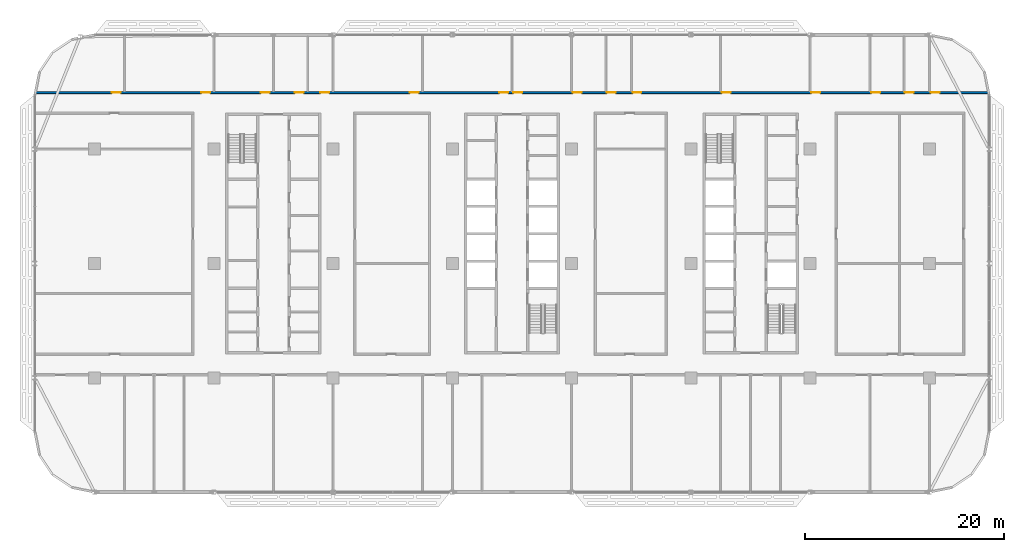
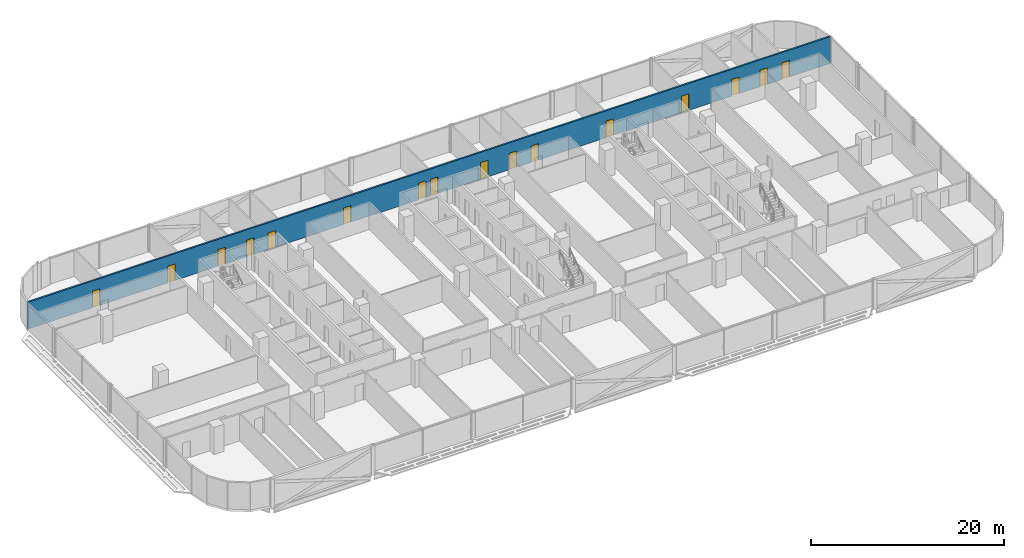
# One storey, part 14 of 28: 16 doors, 1 wall, 16 openings.
"""IFC4 building model written with IfcOpenShell, lengths in metres."""

from ifc_helpers import new_model, si_unit, direction, frame, frame_2d, origin, place, context, subcontext, project, spatial, rectangle, extrude, material, layer, layer_set, type_object, element, fill, save


model = new_model("IFC4")

# Units and contexts
model_context = context("Model", 3, precision=1e-05, world=origin(), true_north=direction((0.0, 1.0)))
body_context = subcontext(model_context, "Body", "Model", "MODEL_VIEW")
ifc_project = project(units=[si_unit("LENGTHUNIT", "METRE"), si_unit("AREAUNIT", "SQUARE_METRE"), si_unit("VOLUMEUNIT", "CUBIC_METRE"), si_unit("PLANEANGLEUNIT", "RADIAN"), si_unit("MASSUNIT", "GRAM", prefix="KILO")], contexts=[model_context])

# Site, building, storey
site_placement = place(None, origin())
site = spatial("IfcSite", under=ifc_project, at=site_placement, CompositionType="ELEMENT")
building_placement = place(site_placement, origin())
building = spatial("IfcBuilding", under=site, at=building_placement, Name="Mahtab Terrace Research Tower", CompositionType="ELEMENT")
storey_placement = place(building_placement, frame((0.0, 0.0, 185.800048828125)))
storey = spatial("IfcBuildingStorey", under=building, at=storey_placement, Name="L44", CompositionType="ELEMENT", Elevation=185.800048828125)

# Wall, openings, doors
ifc_material_1 = material(Name="Gypsum board corridor wall on steel studs", Category="steel")
ifc_layer = layer(ifc_material_1, 0.199951171875)
ifc_layer_set = layer_set([ifc_layer], Name="WALL CORRIDOR 200")
wall_type = type_object("IfcWallType", Name="WALL CORRIDOR 200", PredefinedType="PARTITIONING", material=ifc_layer_set)
wall_placement = place(storey_placement, frame((-47.97509765625, 17.199951171875, 0.0), z_axis=(0.0, 0.0, 1.0), x_axis=(1.0, 0.0, 0.0)))
wall = element("IfcWall", 1, at=wall_placement, inside=storey, type_object=wall_type, Name="L44-W026", PredefinedType="PARTITIONING", context=body_context, shape_type="SweptSolid", body=[
    extrude(rectangle(XDim=95.9501953125, YDim=0.199951171875, at=frame_2d((47.97509765625, 0.0))), origin(), (0.0, 0.0, 1.0), 3.39990234375),
])
opening_1_placement = place(wall_placement, frame((7.699951171875, 0.0, 0.0)))
opening_1 = element("IfcOpeningElement", 2, at=opening_1_placement, cuts=wall, Name="Opening L44-129", PredefinedType="OPENING", context=body_context, shape_type="SweptSolid", body=[
    extrude(rectangle(XDim=0.89990234375, YDim=2.10009765625, at=frame_2d((0.449951171875, 1.050048828125))), frame((0.0, 0.10986328125, 0.0), z_axis=(0.0, -1.0, 0.0), x_axis=(1.0, 0.0, 0.0)), (0.0, 0.0, 1.0), 0.219970703125),
])
opening_2_placement = place(wall_placement, frame((16.699951171875, 0.0, 0.0)))
opening_2 = element("IfcOpeningElement", 3, at=opening_2_placement, cuts=wall, Name="Opening L44-130", PredefinedType="OPENING", context=body_context, shape_type="SweptSolid", body=[
    extrude(rectangle(XDim=0.89990234375, YDim=2.10009765625, at=frame_2d((0.449951171875, 1.050048828125))), frame((0.0, 0.10986328125, 0.0), z_axis=(0.0, -1.0, 0.0), x_axis=(1.0, 0.0, 0.0)), (0.0, 0.0, 1.0), 0.219970703125),
])
opening_3_placement = place(wall_placement, frame((22.699951171875, 0.0, 0.0)))
opening_3 = element("IfcOpeningElement", 4, at=opening_3_placement, cuts=wall, Name="Opening L44-131", PredefinedType="OPENING", context=body_context, shape_type="SweptSolid", body=[
    extrude(rectangle(XDim=0.89990234375, YDim=2.10009765625, at=frame_2d((0.449951171875, 1.050048828125))), frame((0.0, 0.10986328125, 0.0), z_axis=(0.0, -1.0, 0.0), x_axis=(1.0, 0.0, 0.0)), (0.0, 0.0, 1.0), 0.219970703125),
])
opening_4_placement = place(wall_placement, frame((26.10009765625, 0.0, 0.0)))
opening_4 = element("IfcOpeningElement", 5, at=opening_4_placement, cuts=wall, Name="Opening L44-132", PredefinedType="OPENING", context=body_context, shape_type="SweptSolid", body=[
    extrude(rectangle(XDim=0.89990234375, YDim=2.10009765625, at=frame_2d((0.449951171875, 1.050048828125))), frame((0.0, 0.10986328125, 0.0), z_axis=(0.0, -1.0, 0.0), x_axis=(1.0, 0.0, 0.0)), (0.0, 0.0, 1.0), 0.219970703125),
])
opening_5_placement = place(wall_placement, frame((28.699951171875, 0.0, 0.0)))
opening_5 = element("IfcOpeningElement", 6, at=opening_5_placement, cuts=wall, Name="Opening L44-133", PredefinedType="OPENING", context=body_context, shape_type="SweptSolid", body=[
    extrude(rectangle(XDim=0.89990234375, YDim=2.10009765625, at=frame_2d((0.449951171875, 1.050048828125))), frame((0.0, 0.10986328125, 0.0), z_axis=(0.0, -1.0, 0.0), x_axis=(1.0, 0.0, 0.0)), (0.0, 0.0, 1.0), 0.219970703125),
])
opening_6_placement = place(wall_placement, frame((37.699951171875, 0.0, 0.0)))
opening_6 = element("IfcOpeningElement", 7, at=opening_6_placement, cuts=wall, Name="Opening L44-134", PredefinedType="OPENING", context=body_context, shape_type="SweptSolid", body=[
    extrude(rectangle(XDim=0.89990234375, YDim=2.10009765625, at=frame_2d((0.449951171875, 1.050048828125))), frame((0.0, 0.10986328125, 0.0), z_axis=(0.0, -1.0, 0.0), x_axis=(1.0, 0.0, 0.0)), (0.0, 0.0, 1.0), 0.219970703125),
])
opening_7_placement = place(wall_placement, frame((46.699951171875, 0.0, 0.0)))
opening_7 = element("IfcOpeningElement", 8, at=opening_7_placement, cuts=wall, Name="Opening L44-135", PredefinedType="OPENING", context=body_context, shape_type="SweptSolid", body=[
    extrude(rectangle(XDim=0.89990234375, YDim=2.10009765625, at=frame_2d((0.449951171875, 1.050048828125))), frame((0.0, 0.10986328125, 0.0), z_axis=(0.0, -1.0, 0.0), x_axis=(1.0, 0.0, 0.0)), (0.0, 0.0, 1.0), 0.219970703125),
])
opening_8_placement = place(wall_placement, frame((48.10009765625, 0.0, 0.0)))
opening_8 = element("IfcOpeningElement", 9, at=opening_8_placement, cuts=wall, Name="Opening L44-136", PredefinedType="OPENING", context=body_context, shape_type="SweptSolid", body=[
    extrude(rectangle(XDim=0.89990234375, YDim=2.10009765625, at=frame_2d((0.449951171875, 1.050048828125))), frame((0.0, 0.10986328125, 0.0), z_axis=(0.0, -1.0, 0.0), x_axis=(1.0, 0.0, 0.0)), (0.0, 0.0, 1.0), 0.219970703125),
])
opening_9_placement = place(wall_placement, frame((54.10009765625, 0.0, 0.0)))
opening_9 = element("IfcOpeningElement", 10, at=opening_9_placement, cuts=wall, Name="Opening L44-137", PredefinedType="OPENING", context=body_context, shape_type="SweptSolid", body=[
    extrude(rectangle(XDim=0.89990234375, YDim=2.10009765625, at=frame_2d((0.449951171875, 1.050048828125))), frame((0.0, 0.10986328125, 0.0), z_axis=(0.0, -1.0, 0.0), x_axis=(1.0, 0.0, 0.0)), (0.0, 0.0, 1.0), 0.219970703125),
])
opening_10_placement = place(wall_placement, frame((57.5, 0.0, 0.0)))
opening_10 = element("IfcOpeningElement", 11, at=opening_10_placement, cuts=wall, Name="Opening L44-138", PredefinedType="OPENING", context=body_context, shape_type="SweptSolid", body=[
    extrude(rectangle(XDim=0.89990234375, YDim=2.10009765625, at=frame_2d((0.449951171875, 1.050048828125))), frame((0.0, 0.10986328125, 0.0), z_axis=(0.0, -1.0, 0.0), x_axis=(1.0, 0.0, 0.0)), (0.0, 0.0, 1.0), 0.219970703125),
])
opening_11_placement = place(wall_placement, frame((60.10009765625, 0.0, 0.0)))
opening_11 = element("IfcOpeningElement", 12, at=opening_11_placement, cuts=wall, Name="Opening L44-139", PredefinedType="OPENING", context=body_context, shape_type="SweptSolid", body=[
    extrude(rectangle(XDim=0.89990234375, YDim=2.10009765625, at=frame_2d((0.449951171875, 1.050048828125))), frame((0.0, 0.10986328125, 0.0), z_axis=(0.0, -1.0, 0.0), x_axis=(1.0, 0.0, 0.0)), (0.0, 0.0, 1.0), 0.219970703125),
])
opening_12_placement = place(wall_placement, frame((69.10009765625, 0.0, 0.0)))
opening_12 = element("IfcOpeningElement", 13, at=opening_12_placement, cuts=wall, Name="Opening L44-140", PredefinedType="OPENING", context=body_context, shape_type="SweptSolid", body=[
    extrude(rectangle(XDim=0.89990234375, YDim=2.10009765625, at=frame_2d((0.449951171875, 1.050048828125))), frame((0.0, 0.10986328125, 0.0), z_axis=(0.0, -1.0, 0.0), x_axis=(1.0, 0.0, 0.0)), (0.0, 0.0, 1.0), 0.219970703125),
])
opening_13_placement = place(wall_placement, frame((78.10009765625, 0.0, 0.0)))
opening_13 = element("IfcOpeningElement", 14, at=opening_13_placement, cuts=wall, Name="Opening L44-141", PredefinedType="OPENING", context=body_context, shape_type="SweptSolid", body=[
    extrude(rectangle(XDim=0.89990234375, YDim=2.10009765625, at=frame_2d((0.449951171875, 1.050048828125))), frame((0.0, 0.10986328125, 0.0), z_axis=(0.0, -1.0, 0.0), x_axis=(1.0, 0.0, 0.0)), (0.0, 0.0, 1.0), 0.219970703125),
])
opening_14_placement = place(wall_placement, frame((84.10009765625, 0.0, 0.0)))
opening_14 = element("IfcOpeningElement", 15, at=opening_14_placement, cuts=wall, Name="Opening L44-142", PredefinedType="OPENING", context=body_context, shape_type="SweptSolid", body=[
    extrude(rectangle(XDim=0.89990234375, YDim=2.10009765625, at=frame_2d((0.449951171875, 1.050048828125))), frame((0.0, 0.10986328125, 0.0), z_axis=(0.0, -1.0, 0.0), x_axis=(1.0, 0.0, 0.0)), (0.0, 0.0, 1.0), 0.219970703125),
])
opening_15_placement = place(wall_placement, frame((87.5, 0.0, 0.0)))
opening_15 = element("IfcOpeningElement", 16, at=opening_15_placement, cuts=wall, Name="Opening L44-143", PredefinedType="OPENING", context=body_context, shape_type="SweptSolid", body=[
    extrude(rectangle(XDim=0.89990234375, YDim=2.10009765625, at=frame_2d((0.449951171875, 1.050048828125))), frame((0.0, 0.10986328125, 0.0), z_axis=(0.0, -1.0, 0.0), x_axis=(1.0, 0.0, 0.0)), (0.0, 0.0, 1.0), 0.219970703125),
])
opening_16_placement = place(wall_placement, frame((90.10009765625, 0.0, 0.0)))
opening_16 = element("IfcOpeningElement", 17, at=opening_16_placement, cuts=wall, Name="Opening L44-144", PredefinedType="OPENING", context=body_context, shape_type="SweptSolid", body=[
    extrude(rectangle(XDim=0.89990234375, YDim=2.10009765625, at=frame_2d((0.449951171875, 1.050048828125))), frame((0.0, 0.10986328125, 0.0), z_axis=(0.0, -1.0, 0.0), x_axis=(1.0, 0.0, 0.0)), (0.0, 0.0, 1.0), 0.219970703125),
])
ifc_material_2 = material(Name="Timber door leaf in steel frame", Category="steel")
door_type = type_object("IfcDoorType", Name="DOOR 0900X2100 FD30S", OperationType="SINGLE_SWING_LEFT", PredefinedType="DOOR", material=ifc_material_2)
door_1_placement = place(opening_1_placement, origin())
door_1 = element("IfcDoor", 18, at=door_1_placement, inside=storey, type_object=door_type, Name="Door L44-129", OperationType="SINGLE_SWING_LEFT", OverallHeight=2.10009765625, OverallWidth=0.89990234375, PredefinedType="DOOR", context=body_context, shape_type="SweptSolid", body=[
    extrude(rectangle(XDim=0.89990234375, YDim=2.10009765625, at=frame_2d((0.449951171875, 1.050048828125))), frame((0.0, 0.02490234375, 0.0), z_axis=(0.0, -1.0, 0.0), x_axis=(1.0, 0.0, 0.0)), (0.0, 0.0, 1.0), 0.050048828125),
])
fill(opening_1, door_1)
door_2_placement = place(opening_2_placement, origin())
door_2 = element("IfcDoor", 19, at=door_2_placement, inside=storey, type_object=door_type, Name="Door L44-130", OperationType="SINGLE_SWING_LEFT", OverallHeight=2.10009765625, OverallWidth=0.89990234375, PredefinedType="DOOR", context=body_context, shape_type="SweptSolid", body=[
    extrude(rectangle(XDim=0.89990234375, YDim=2.10009765625, at=frame_2d((0.449951171875, 1.050048828125))), frame((0.0, 0.02490234375, 0.0), z_axis=(0.0, -1.0, 0.0), x_axis=(1.0, 0.0, 0.0)), (0.0, 0.0, 1.0), 0.050048828125),
])
fill(opening_2, door_2)
door_3_placement = place(opening_3_placement, origin())
door_3 = element("IfcDoor", 20, at=door_3_placement, inside=storey, type_object=door_type, Name="Door L44-131", OperationType="SINGLE_SWING_LEFT", OverallHeight=2.10009765625, OverallWidth=0.89990234375, PredefinedType="DOOR", context=body_context, shape_type="SweptSolid", body=[
    extrude(rectangle(XDim=0.89990234375, YDim=2.10009765625, at=frame_2d((0.449951171875, 1.050048828125))), frame((0.0, 0.02490234375, 0.0), z_axis=(0.0, -1.0, 0.0), x_axis=(1.0, 0.0, 0.0)), (0.0, 0.0, 1.0), 0.050048828125),
])
fill(opening_3, door_3)
door_4_placement = place(opening_4_placement, origin())
door_4 = element("IfcDoor", 21, at=door_4_placement, inside=storey, type_object=door_type, Name="Door L44-132", OperationType="SINGLE_SWING_LEFT", OverallHeight=2.10009765625, OverallWidth=0.89990234375, PredefinedType="DOOR", context=body_context, shape_type="SweptSolid", body=[
    extrude(rectangle(XDim=0.89990234375, YDim=2.10009765625, at=frame_2d((0.449951171875, 1.050048828125))), frame((0.0, 0.02490234375, 0.0), z_axis=(0.0, -1.0, 0.0), x_axis=(1.0, 0.0, 0.0)), (0.0, 0.0, 1.0), 0.050048828125),
])
fill(opening_4, door_4)
door_5_placement = place(opening_5_placement, origin())
door_5 = element("IfcDoor", 22, at=door_5_placement, inside=storey, type_object=door_type, Name="Door L44-133", OperationType="SINGLE_SWING_LEFT", OverallHeight=2.10009765625, OverallWidth=0.89990234375, PredefinedType="DOOR", context=body_context, shape_type="SweptSolid", body=[
    extrude(rectangle(XDim=0.89990234375, YDim=2.10009765625, at=frame_2d((0.449951171875, 1.050048828125))), frame((0.0, 0.02490234375, 0.0), z_axis=(0.0, -1.0, 0.0), x_axis=(1.0, 0.0, 0.0)), (0.0, 0.0, 1.0), 0.050048828125),
])
fill(opening_5, door_5)
door_6_placement = place(opening_6_placement, origin())
door_6 = element("IfcDoor", 23, at=door_6_placement, inside=storey, type_object=door_type, Name="Door L44-134", OperationType="SINGLE_SWING_LEFT", OverallHeight=2.10009765625, OverallWidth=0.89990234375, PredefinedType="DOOR", context=body_context, shape_type="SweptSolid", body=[
    extrude(rectangle(XDim=0.89990234375, YDim=2.10009765625, at=frame_2d((0.449951171875, 1.050048828125))), frame((0.0, 0.02490234375, 0.0), z_axis=(0.0, -1.0, 0.0), x_axis=(1.0, 0.0, 0.0)), (0.0, 0.0, 1.0), 0.050048828125),
])
fill(opening_6, door_6)
door_7_placement = place(opening_7_placement, origin())
door_7 = element("IfcDoor", 24, at=door_7_placement, inside=storey, type_object=door_type, Name="Door L44-135", OperationType="SINGLE_SWING_LEFT", OverallHeight=2.10009765625, OverallWidth=0.89990234375, PredefinedType="DOOR", context=body_context, shape_type="SweptSolid", body=[
    extrude(rectangle(XDim=0.89990234375, YDim=2.10009765625, at=frame_2d((0.449951171875, 1.050048828125))), frame((0.0, 0.02490234375, 0.0), z_axis=(0.0, -1.0, 0.0), x_axis=(1.0, 0.0, 0.0)), (0.0, 0.0, 1.0), 0.050048828125),
])
fill(opening_7, door_7)
door_8_placement = place(opening_8_placement, origin())
door_8 = element("IfcDoor", 25, at=door_8_placement, inside=storey, type_object=door_type, Name="Door L44-136", OperationType="SINGLE_SWING_RIGHT", OverallHeight=2.10009765625, OverallWidth=0.89990234375, PredefinedType="DOOR", context=body_context, shape_type="SweptSolid", body=[
    extrude(rectangle(XDim=0.89990234375, YDim=2.10009765625, at=frame_2d((0.449951171875, 1.050048828125))), frame((0.0, 0.02490234375, 0.0), z_axis=(0.0, -1.0, 0.0), x_axis=(1.0, 0.0, 0.0)), (0.0, 0.0, 1.0), 0.050048828125),
])
fill(opening_8, door_8)
door_9_placement = place(opening_9_placement, origin())
door_9 = element("IfcDoor", 26, at=door_9_placement, inside=storey, type_object=door_type, Name="Door L44-137", OperationType="SINGLE_SWING_RIGHT", OverallHeight=2.10009765625, OverallWidth=0.89990234375, PredefinedType="DOOR", context=body_context, shape_type="SweptSolid", body=[
    extrude(rectangle(XDim=0.89990234375, YDim=2.10009765625, at=frame_2d((0.449951171875, 1.050048828125))), frame((0.0, 0.02490234375, 0.0), z_axis=(0.0, -1.0, 0.0), x_axis=(1.0, 0.0, 0.0)), (0.0, 0.0, 1.0), 0.050048828125),
])
fill(opening_9, door_9)
door_10_placement = place(opening_10_placement, origin())
door_10 = element("IfcDoor", 27, at=door_10_placement, inside=storey, type_object=door_type, Name="Door L44-138", OperationType="SINGLE_SWING_RIGHT", OverallHeight=2.10009765625, OverallWidth=0.89990234375, PredefinedType="DOOR", context=body_context, shape_type="SweptSolid", body=[
    extrude(rectangle(XDim=0.89990234375, YDim=2.10009765625, at=frame_2d((0.449951171875, 1.050048828125))), frame((0.0, 0.02490234375, 0.0), z_axis=(0.0, -1.0, 0.0), x_axis=(1.0, 0.0, 0.0)), (0.0, 0.0, 1.0), 0.050048828125),
])
fill(opening_10, door_10)
door_11_placement = place(opening_11_placement, origin())
door_11 = element("IfcDoor", 28, at=door_11_placement, inside=storey, type_object=door_type, Name="Door L44-139", OperationType="SINGLE_SWING_RIGHT", OverallHeight=2.10009765625, OverallWidth=0.89990234375, PredefinedType="DOOR", context=body_context, shape_type="SweptSolid", body=[
    extrude(rectangle(XDim=0.89990234375, YDim=2.10009765625, at=frame_2d((0.449951171875, 1.050048828125))), frame((0.0, 0.02490234375, 0.0), z_axis=(0.0, -1.0, 0.0), x_axis=(1.0, 0.0, 0.0)), (0.0, 0.0, 1.0), 0.050048828125),
])
fill(opening_11, door_11)
door_12_placement = place(opening_12_placement, origin())
door_12 = element("IfcDoor", 29, at=door_12_placement, inside=storey, type_object=door_type, Name="Door L44-140", OperationType="SINGLE_SWING_RIGHT", OverallHeight=2.10009765625, OverallWidth=0.89990234375, PredefinedType="DOOR", context=body_context, shape_type="SweptSolid", body=[
    extrude(rectangle(XDim=0.89990234375, YDim=2.10009765625, at=frame_2d((0.449951171875, 1.050048828125))), frame((0.0, 0.02490234375, 0.0), z_axis=(0.0, -1.0, 0.0), x_axis=(1.0, 0.0, 0.0)), (0.0, 0.0, 1.0), 0.050048828125),
])
fill(opening_12, door_12)
door_13_placement = place(opening_13_placement, origin())
door_13 = element("IfcDoor", 30, at=door_13_placement, inside=storey, type_object=door_type, Name="Door L44-141", OperationType="SINGLE_SWING_RIGHT", OverallHeight=2.10009765625, OverallWidth=0.89990234375, PredefinedType="DOOR", context=body_context, shape_type="SweptSolid", body=[
    extrude(rectangle(XDim=0.89990234375, YDim=2.10009765625, at=frame_2d((0.449951171875, 1.050048828125))), frame((0.0, 0.02490234375, 0.0), z_axis=(0.0, -1.0, 0.0), x_axis=(1.0, 0.0, 0.0)), (0.0, 0.0, 1.0), 0.050048828125),
])
fill(opening_13, door_13)
door_14_placement = place(opening_14_placement, origin())
door_14 = element("IfcDoor", 31, at=door_14_placement, inside=storey, type_object=door_type, Name="Door L44-142", OperationType="SINGLE_SWING_RIGHT", OverallHeight=2.10009765625, OverallWidth=0.89990234375, PredefinedType="DOOR", context=body_context, shape_type="SweptSolid", body=[
    extrude(rectangle(XDim=0.89990234375, YDim=2.10009765625, at=frame_2d((0.449951171875, 1.050048828125))), frame((0.0, 0.02490234375, 0.0), z_axis=(0.0, -1.0, 0.0), x_axis=(1.0, 0.0, 0.0)), (0.0, 0.0, 1.0), 0.050048828125),
])
fill(opening_14, door_14)
door_15_placement = place(opening_15_placement, origin())
door_15 = element("IfcDoor", 32, at=door_15_placement, inside=storey, type_object=door_type, Name="Door L44-143", OperationType="SINGLE_SWING_RIGHT", OverallHeight=2.10009765625, OverallWidth=0.89990234375, PredefinedType="DOOR", context=body_context, shape_type="SweptSolid", body=[
    extrude(rectangle(XDim=0.89990234375, YDim=2.10009765625, at=frame_2d((0.449951171875, 1.050048828125))), frame((0.0, 0.02490234375, 0.0), z_axis=(0.0, -1.0, 0.0), x_axis=(1.0, 0.0, 0.0)), (0.0, 0.0, 1.0), 0.050048828125),
])
fill(opening_15, door_15)
door_16_placement = place(opening_16_placement, origin())
door_16 = element("IfcDoor", 33, at=door_16_placement, inside=storey, type_object=door_type, Name="Door L44-144", OperationType="SINGLE_SWING_RIGHT", OverallHeight=2.10009765625, OverallWidth=0.89990234375, PredefinedType="DOOR", context=body_context, shape_type="SweptSolid", body=[
    extrude(rectangle(XDim=0.89990234375, YDim=2.10009765625, at=frame_2d((0.449951171875, 1.050048828125))), frame((0.0, 0.02490234375, 0.0), z_axis=(0.0, -1.0, 0.0), x_axis=(1.0, 0.0, 0.0)), (0.0, 0.0, 1.0), 0.050048828125),
])
fill(opening_16, door_16)

save(model, "model.ifc")
